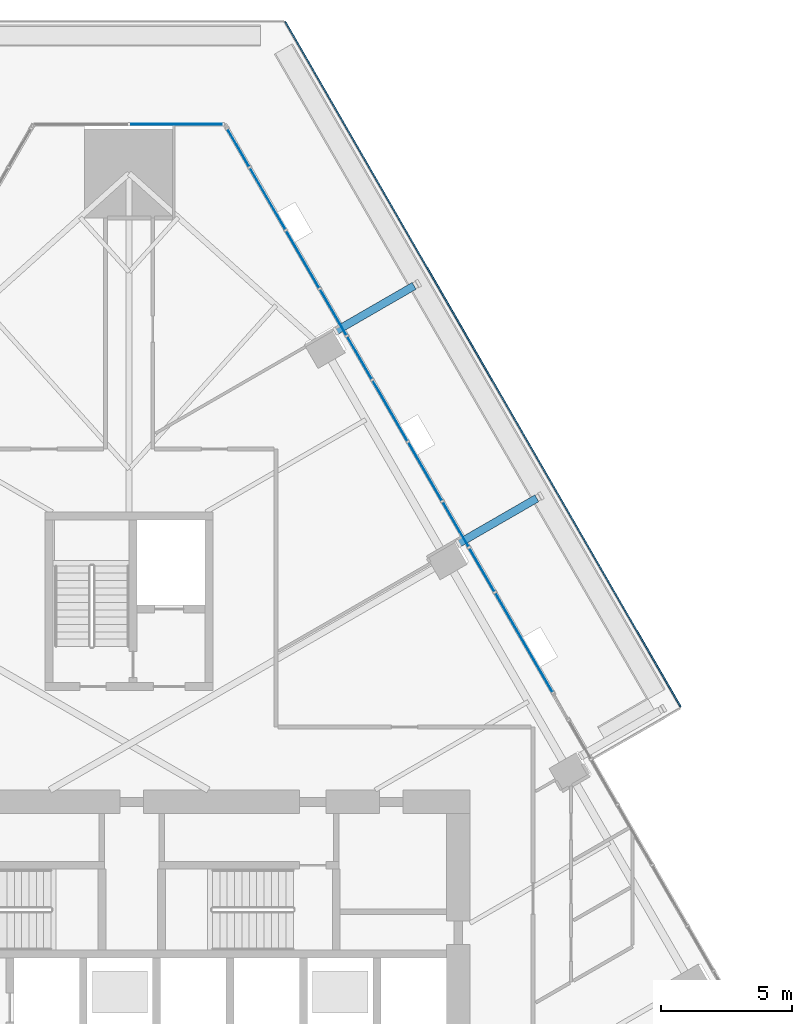
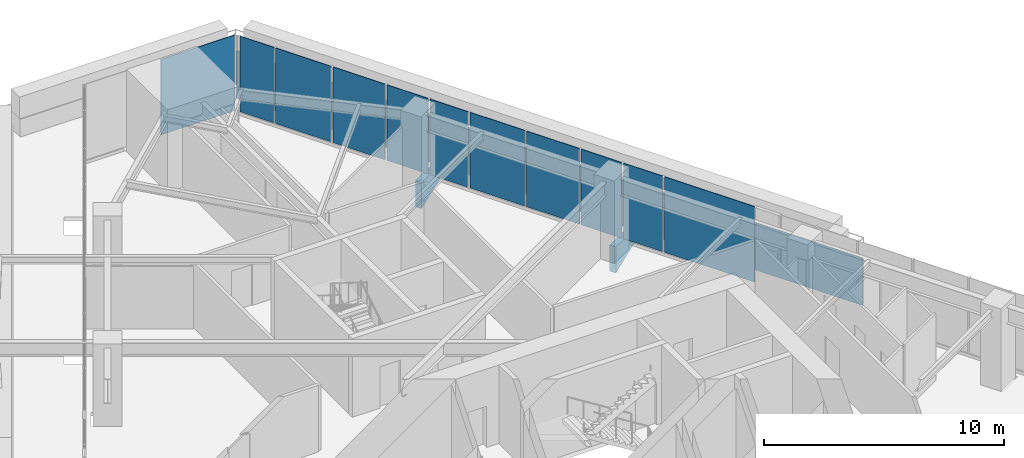
# One storey, part 16 of 26: 14 plates, 2 elements without a shape of their own.
"""IFC4 building model written with IfcOpenShell, lengths in metres."""

from ifc_helpers import new_model, si_unit, direction, frame, origin, place, context, subcontext, project, spatial, polyline, outline, extrude, material, layer, layer_set, type_object, element, aggregate, save


model = new_model("IFC4")

# Units and contexts
model_context = context("Model", 3, precision=1e-05, world=origin(), true_north=direction((0.0, 1.0)))
body_context = subcontext(model_context, "Body", "Model", "MODEL_VIEW")
ifc_project = project(units=[si_unit("LENGTHUNIT", "METRE"), si_unit("AREAUNIT", "SQUARE_METRE"), si_unit("VOLUMEUNIT", "CUBIC_METRE"), si_unit("PLANEANGLEUNIT", "RADIAN"), si_unit("MASSUNIT", "GRAM", prefix="KILO")], contexts=[model_context])

# Site, building, storey
site_placement = place(None, origin())
site = spatial("IfcSite", under=ifc_project, at=site_placement, CompositionType="ELEMENT")
building_placement = place(site_placement, origin())
building = spatial("IfcBuilding", under=site, at=building_placement, Name="Firuza Gate Tower and Library", CompositionType="ELEMENT")
storey_placement = place(building_placement, frame((0.0, 0.0, 115.60009765625)))
storey = spatial("IfcBuildingStorey", under=building, at=storey_placement, Name="L26", CompositionType="ELEMENT", Elevation=115.60009765625)

# Curtain wall, plate
ifc_material_1 = material(Name="Aluminium 6063-T6", Category="aluminium")
ifc_layer_1 = layer(ifc_material_1, 0.14990234375)
ifc_layer_set_1 = layer_set([ifc_layer_1], Name="Corner curtain wall, chamfers")
curtain_wall_type_1 = type_object("IfcCurtainWallType", Name="Corner curtain wall, chamfers", PredefinedType="NOTDEFINED", material=ifc_layer_set_1)
placement = place(storey_placement, origin())
curtain_wall_1 = element("IfcCurtainWall", 1, at=placement, inside=storey, type_object=curtain_wall_type_1, Name="CW4 L26 N corner", PredefinedType="NOTDEFINED")
ifc_material_2 = material(Name="Fritted glass", Category="glass")
ifc_layer_2 = layer(ifc_material_2, 0.030029296875)
ifc_layer_set_2 = layer_set([ifc_layer_2], Name="Fritted glass unit, corners")
plate_type_1 = type_object("IfcPlateType", Name="Fritted glass unit, corners", PredefinedType="CURTAIN_PANEL", material=ifc_layer_set_2)
plate_1_placement = place(storey_placement, frame((78.603271484375, 109.402099609375, 0.14990234375), z_axis=(0.0, 1.0, 0.0), x_axis=(-1.0, 0.0, 0.0)))
plate_1 = element("IfcPlate", 2, at=plate_1_placement, type_object=plate_type_1, Name="Glass unit", PredefinedType="CURTAIN_PANEL", context=body_context, shape_type="SweptSolid", body=[
    extrude(outline(polyline([(0.0, 0.0), (3.563232421875, 0.0), (3.563232421875, 3.85009765625), (0.0, 3.85009765625), (0.0, 0.0)])), origin(), (0.0, 0.0, -1.0), 0.030029296875),
])
aggregate(curtain_wall_1, [plate_1])

# Curtain wall, plates
ifc_material_3 = material(Name="Aluminium 6063-T6", Category="aluminium")
ifc_layer_3 = layer(ifc_material_3, 0.14990234375)
ifc_layer_set_3 = layer_set([ifc_layer_3], Name="Unitised curtain wall, offices")
curtain_wall_type_2 = type_object("IfcCurtainWallType", Name="Unitised curtain wall, offices", PredefinedType="NOTDEFINED", material=ifc_layer_set_3)
curtain_wall_2 = element("IfcCurtainWall", 3, at=placement, inside=storey, type_object=curtain_wall_type_2, Name="CW1 L26 E face", PredefinedType="NOTDEFINED")
ifc_material_4 = material(Name="Fritted glass", Category="glass")
ifc_layer_4 = layer(ifc_material_4, 0.030029296875)
ifc_layer_set_4 = layer_set([ifc_layer_4], Name="Fritted glass unit, offices")
plate_type_2 = type_object("IfcPlateType", Name="Fritted glass unit, offices", PredefinedType="CURTAIN_PANEL", material=ifc_layer_set_4)
plate_2_placement = place(storey_placement, frame((88.940673828125, 91.581787109375, 0.14990234375), z_axis=(0.86602422079, 0.500002049001, 0.0), x_axis=(-0.500002049001, 0.86602422079, 0.0)))
plate_2 = element("IfcPlate", 4, at=plate_2_placement, type_object=plate_type_2, Name="Glass unit", PredefinedType="CURTAIN_PANEL", context=body_context, shape_type="SweptSolid", body=[
    extrude(outline(polyline([(0.0, 0.0), (1.889640693747255, 0.0), (1.889640693747255, 3.85009765625), (0.0, 3.85009765625), (0.0, 0.0)])), origin(), (0.0, 0.0, -1.0), 0.030029296875),
])
plate_3_placement = place(storey_placement, frame((87.955810546875, 93.287353515625, 0.14990234375), z_axis=(0.866056934013, 0.499945384066, 0.0), x_axis=(-0.499945384066, 0.866056934013, 0.0)))
plate_3 = element("IfcPlate", 5, at=plate_3_placement, type_object=plate_type_2, Name="Glass unit", PredefinedType="CURTAIN_PANEL", context=body_context, shape_type="SweptSolid", body=[
    extrude(outline(polyline([(0.0, 0.0), (1.9591983818993017, 0.0), (1.9591983818993017, 3.85009765625), (0.0, 3.85009765625), (0.0, 0.0)])), origin(), (0.0, 0.0, -1.0), 0.030029296875),
])
plate_4_placement = place(storey_placement, frame((84.263427734375, 99.6826171875, 0.14990234375), z_axis=(0.866023396066, 0.500003477455, 0.0), x_axis=(-0.500003477455, 0.866023396066, 0.0)))
plate_4 = element("IfcPlate", 6, at=plate_4_placement, type_object=plate_type_2, Name="Glass unit", PredefinedType="CURTAIN_PANEL", context=body_context, shape_type="SweptSolid", body=[
    extrude(outline(polyline([(0.0, 0.0), (1.8549675676178854, 0.0), (1.8549675676178854, 3.85009765625), (0.0, 3.85009765625), (0.0, 0.0)])), origin(), (0.0, 0.0, -1.0), 0.030029296875),
])
plate_5_placement = place(storey_placement, frame((83.296142578125, 101.3583984375, 0.14990234375), z_axis=(0.865973495257, 0.500089897431, 0.0), x_axis=(-0.500089897431, 0.865973495257, 0.0)))
plate_5 = element("IfcPlate", 7, at=plate_5_placement, type_object=plate_type_2, Name="Glass unit", PredefinedType="CURTAIN_PANEL", context=body_context, shape_type="SweptSolid", body=[
    extrude(outline(polyline([(0.0, 0.0), (1.9937821532141111, 0.0), (1.9937821532141111, 3.85009765625), (0.0, 3.85009765625), (0.0, 0.0)])), origin(), (0.0, 0.0, -1.0), 0.030029296875),
])
plate_6_placement = place(storey_placement, frame((79.58642578125, 107.78369140625, 0.14990234375), z_axis=(0.865994286471, 0.500053892894, 0.0), x_axis=(-0.500053892894, 0.865994286471, 0.0)))
plate_6 = element("IfcPlate", 8, at=plate_6_placement, type_object=plate_type_2, Name="Glass unit", PredefinedType="CURTAIN_PANEL", context=body_context, shape_type="SweptSolid", body=[
    extrude(outline(polyline([(0.0, 0.0), (1.6365423539913728, 0.0), (1.6365423539913728, 3.85009765625), (0.0, 3.85009765625), (0.0, 0.0)])), origin(), (0.0, 0.0, -1.0), 0.030029296875),
])
ifc_material_5 = material(Name="Glazed ceramic tile")
ifc_layer_5 = layer(ifc_material_5, 0.030029296875)
ifc_layer_set_5 = layer_set([ifc_layer_5], Name="Opaque ceramic panel, offices")
plate_type_3 = type_object("IfcPlateType", Name="Opaque ceramic panel, offices", PredefinedType="CURTAIN_PANEL", material=ifc_layer_set_5)
plate_7_placement = place(storey_placement, frame((91.155517578125, 87.745361328125, 0.14990234375), z_axis=(0.866013608182, 0.500020430026, 0.0), x_axis=(-0.500020430026, 0.866013608182, 0.0)))
plate_7 = element("IfcPlate", 9, at=plate_7_placement, type_object=plate_type_3, Name="Opaque ceramic panel", PredefinedType="CURTAIN_PANEL", context=body_context, shape_type="SweptSolid", body=[
    extrude(outline(polyline([(0.0, 0.0), (4.349919918298765, 0.0), (4.349919918298765, 3.85009765625), (0.0, 3.85009765625), (0.0, 0.0)])), origin(), (0.0, 0.0, -1.0), 0.030029296875),
])
plate_8_placement = place(storey_placement, frame((86.936279296875, 95.05322265625, 0.14990234375), z_axis=(0.866052779484, 0.4999525809, 0.0), x_axis=(-0.4999525809, 0.866052779484, 0.0)))
plate_8 = element("IfcPlate", 10, at=plate_8_placement, type_object=plate_type_3, Name="Opaque ceramic panel", PredefinedType="CURTAIN_PANEL", context=body_context, shape_type="SweptSolid", body=[
    extrude(outline(polyline([(0.0, 0.0), (2.5407683056418993, 0.0), (2.5407683056418993, 3.8500976562499996), (0.0, 3.8500976562499996), (0.0, 0.0)])), origin(), (0.0, 0.0, -1.0), 0.030029296875),
])
plate_9_placement = place(storey_placement, frame((85.6259765625, 97.322998046875, 0.14990234375), z_axis=(0.86601342167, 0.500020753057, 0.0), x_axis=(-0.500020753057, 0.86601342167, 0.0)))
plate_9 = element("IfcPlate", 11, at=plate_9_placement, type_object=plate_type_3, Name="Opaque ceramic panel", PredefinedType="CURTAIN_PANEL", context=body_context, shape_type="SweptSolid", body=[
    extrude(outline(polyline([(0.0, 0.0), (2.6449097513223254, 0.0), (2.6449097513223254, 3.850097656250001), (0.0, 3.850097656250001), (0.0, 0.0)])), origin(), (0.0, 0.0, -1.0), 0.030029296875),
])
plate_10_placement = place(storey_placement, frame((82.259033203125, 103.154296875, 0.14990234375), z_axis=(0.86602821102, 0.499995137693, 0.0), x_axis=(-0.499995137693, 0.86602821102, 0.0)))
plate_10 = element("IfcPlate", 12, at=plate_10_placement, type_object=plate_type_3, Name="Opaque ceramic panel", PredefinedType="CURTAIN_PANEL", context=body_context, shape_type="SweptSolid", body=[
    extrude(outline(polyline([(0.0, 0.0), (2.505883743750403, 0.0), (2.505883743750403, 3.85009765625), (0.0, 3.85009765625), (0.0, 0.0)])), origin(), (0.0, 0.0, -1.0), 0.030029296875),
])
plate_11_placement = place(storey_placement, frame((80.966064453125, 105.393798828125, 0.14990234375), z_axis=(0.866053584887, 0.499951185721, 0.0), x_axis=(-0.499951185721, 0.866053584887, 0.0)))
plate_11 = element("IfcPlate", 13, at=plate_11_placement, type_object=plate_type_3, Name="Opaque ceramic panel", PredefinedType="CURTAIN_PANEL", context=body_context, shape_type="SweptSolid", body=[
    extrude(outline(polyline([(0.0, 0.0), (2.679460810645761, 0.0), (2.679460810645761, 3.85009765625), (0.0, 3.85009765625), (0.0, 0.0)])), origin(), (0.0, 0.0, -1.0), 0.030029296875),
])
aggregate(curtain_wall_2, [plate_7, plate_2, plate_3, plate_8, plate_9, plate_4, plate_5, plate_10, plate_11, plate_6])

# Plates
ifc_material_6 = material(Name="Steel S355", Category="steel")
ifc_layer_6 = layer(ifc_material_6, 0.300048828125)
ifc_layer_set_6 = layer_set([ifc_layer_6], Name="Tray bracket web 300 Steel S355")
plate_type_4 = type_object("IfcPlateType", Name="Tray bracket web 300 Steel S355", PredefinedType="SHEET", material=ifc_layer_set_6)
plate_12_placement = place(storey_placement, frame((87.5, 93.5380859375, -0.2001953125), z_axis=(-0.500028509433, 0.86600894323, 0.0), x_axis=(0.86600894323, 0.500028509433, 0.0)))
element("IfcPlate", 14, at=plate_12_placement, inside=storey, type_object=plate_type_4, Name="Tray bracket web L26 col:L25:E4", PredefinedType="SHEET", context=body_context, shape_type="SweptSolid", body=[
    extrude(outline(polyline([(0.0, 0.0), (3.4294919542601163, 0.0), (0.0, 1.333984375), (0.0, 0.0)])), origin(), (0.0, 0.0, -1.0), 0.300048828125),
])
plate_13_placement = place(storey_placement, frame((82.822998046875, 101.638916015625, -0.2001953125), z_axis=(-0.500081895979, 0.865978115955, 0.0), x_axis=(0.865978115955, 0.500081895979, 0.0)))
element("IfcPlate", 15, at=plate_13_placement, inside=storey, type_object=plate_type_4, Name="Tray bracket web L26 col:L25:E5", PredefinedType="SHEET", context=body_context, shape_type="SweptSolid", body=[
    extrude(outline(polyline([(0.0, 0.0), (3.429614038049955, 0.0), (0.0, 1.333984375), (0.0, 0.0)])), origin(), (0.0, 0.0, -1.0), 0.300048828125),
])
ifc_material_7 = material(Name="Aluminium 6063-T6", Category="aluminium")
ifc_layer_7 = layer(ifc_material_7, 0.050048828125)
ifc_layer_set_7 = layer_set([ifc_layer_7], Name="Tray fascia panel 50")
plate_type_5 = type_object("IfcPlateType", Name="Tray fascia panel 50", PredefinedType="SHEET", material=ifc_layer_set_7)
plate_14_placement = place(storey_placement, frame((96.050048828125, 87.18798828125, -2.400146484375), z_axis=(0.866027081832, 0.499997093526, 0.0), x_axis=(-0.499997093526, 0.866027081832, 0.0)))
element("IfcPlate", 16, at=plate_14_placement, inside=storey, type_object=plate_type_5, Name="Tray fascia L26 1", PredefinedType="SHEET", context=body_context, shape_type="SweptSolid", body=[
    extrude(outline(polyline([(0.0, 0.0), (30.16423784317157, 0.0), (30.16423784317157, 2.400146484375), (0.0, 2.400146484375), (0.0, 0.0)])), origin(), (0.0, 0.0, -1.0), 0.050048828125),
])

save(model, "model.ifc")
